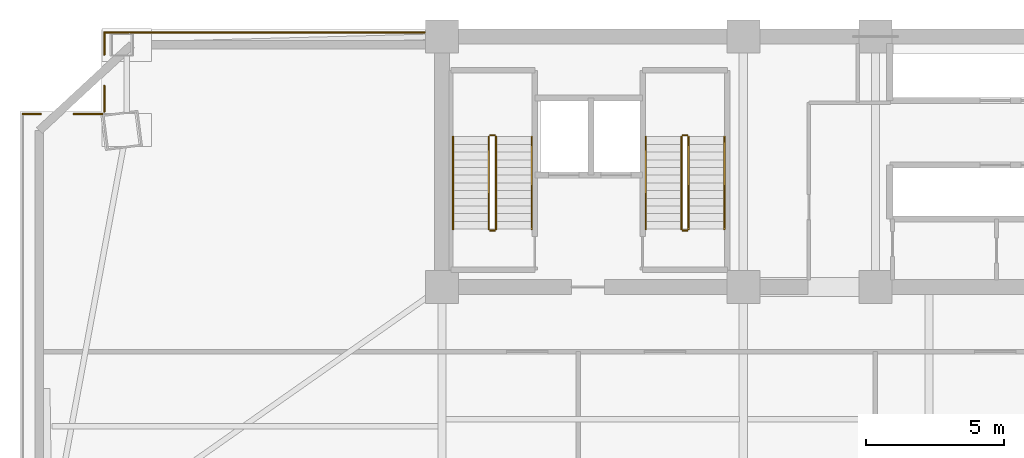
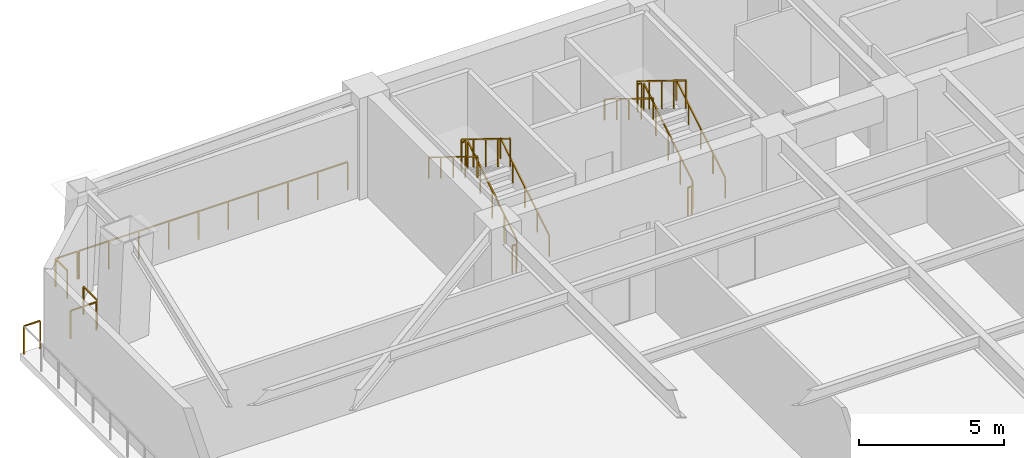
# One storey, part 8 of 9: 18 railings.
"""IFC4 building model written with IfcOpenShell, lengths in metres."""

from ifc_helpers import new_model, si_unit, direction, frame, origin, origin_2d, place, context, subcontext, project, spatial, rectangle, extrude, material, type_object, element, save


model = new_model("IFC4")

# Units and contexts
model_context = context("Model", 3, precision=1e-05, world=origin(), true_north=direction((0.0, 1.0)))
body_context = subcontext(model_context, "Body", "Model", "MODEL_VIEW")
ifc_project = project(units=[si_unit("LENGTHUNIT", "METRE"), si_unit("AREAUNIT", "SQUARE_METRE"), si_unit("VOLUMEUNIT", "CUBIC_METRE"), si_unit("PLANEANGLEUNIT", "RADIAN"), si_unit("MASSUNIT", "GRAM", prefix="KILO")], contexts=[model_context])

# Site, building, storey
site_placement = place(None, origin())
site = spatial("IfcSite", under=ifc_project, at=site_placement, CompositionType="ELEMENT")
building_placement = place(site_placement, origin())
building = spatial("IfcBuilding", under=site, at=building_placement, Name="Giltprow Tower", CompositionType="ELEMENT")
storey_placement = place(building_placement, frame((0.0, 0.0, 144.699951171875)))
storey = spatial("IfcBuildingStorey", under=building, at=storey_placement, Name="L35", CompositionType="ELEMENT", Elevation=144.699951171875)

# Railings
ifc_material = material(Name="Anodized bronze", Category="metal")
railing_type_1 = type_object("IfcRailingType", Name="RAIL-BALC-GUARD-1200", PredefinedType="BALUSTRADE", material=ifc_material)
railing_1_placement = place(storey_placement, frame((4.614013671875, 43.73388671875, 0.0)))
element("IfcRailing", 1, at=railing_1_placement, inside=storey, type_object=railing_type_1, Name="L35 Corner Apron Edge Balustrade 4", PredefinedType="BALUSTRADE", context=body_context, shape_type="SweptSolid", body=[
    extrude(rectangle(XDim=0.048095703125, YDim=0.048095703125, at=origin_2d()), frame((0.0, 0.0, 1.17578125), z_axis=(1.0, 0.0, 0.0), x_axis=(0.0, 1.0, 0.0)), (0.0, 0.0, 1.0), 0.64501953125),
    extrude(rectangle(XDim=0.0419921875, YDim=0.0419921875, at=origin_2d()), origin(), (0.0, 0.0, 1.0), 1.15185546875),
    extrude(rectangle(XDim=0.0419921875, YDim=0.0419921875, at=origin_2d()), frame((0.64501953125, 0.0, 0.0)), (0.0, 0.0, 1.0), 1.15185546875),
])
railing_2_placement = place(storey_placement, frame((6.465087890625, 43.73388671875, 0.0)))
element("IfcRailing", 2, at=railing_2_placement, inside=storey, type_object=railing_type_1, Name="L35 Corner Apron Edge Balustrade 5", PredefinedType="BALUSTRADE", context=body_context, shape_type="SweptSolid", body=[
    extrude(rectangle(XDim=0.048095703125, YDim=0.048095703125, at=origin_2d()), frame((0.0, 0.0, 1.17578125), z_axis=(1.0, 0.0, 0.0), x_axis=(0.0, 1.0, 0.0)), (0.0, 0.0, 1.0), 1.02880859375),
    extrude(rectangle(XDim=0.0419921875, YDim=0.0419921875, at=origin_2d()), origin(), (0.0, 0.0, 1.0), 1.15185546875),
    extrude(rectangle(XDim=0.0419921875, YDim=0.0419921875, at=origin_2d()), frame((1.02880859375, 0.0, 0.0)), (0.0, 0.0, 1.0), 1.15185546875),
])
railing_3_placement = place(storey_placement, frame((7.5791015625, 43.819091796875, 0.0)))
element("IfcRailing", 3, at=railing_3_placement, inside=storey, type_object=railing_type_1, Name="L35 Corner Apron Edge Balustrade 6", PredefinedType="BALUSTRADE", context=body_context, shape_type="SweptSolid", body=[
    extrude(rectangle(XDim=0.048095703125, YDim=0.048095703125, at=origin_2d()), frame((0.0, 0.0, 1.17578125), z_axis=(0.0, 1.0, 0.0), x_axis=(-1.0, 0.0, 0.0)), (0.0, 0.0, 1.0), 0.94580078125),
    extrude(rectangle(XDim=0.0419921875, YDim=0.0419921875, at=origin_2d()), origin(), (0.0, 0.0, 1.0), 1.15185546875),
    extrude(rectangle(XDim=0.0419921875, YDim=0.0419921875, at=origin_2d()), frame((0.0, 0.94580078125, 0.0)), (0.0, 0.0, 1.0), 1.15185546875),
])
railing_4_placement = place(storey_placement, frame((7.5791015625, 45.883056640625, 0.0)))
element("IfcRailing", 4, at=railing_4_placement, inside=storey, type_object=railing_type_1, Name="L35 Corner Apron Edge Balustrade 7", PredefinedType="BALUSTRADE", context=body_context, shape_type="SweptSolid", body=[
    extrude(rectangle(XDim=0.048095703125, YDim=0.048095703125, at=origin_2d()), frame((0.0, 0.0, 1.17578125), z_axis=(0.0, 1.0, 0.0), x_axis=(-1.0, 0.0, 0.0)), (0.0, 0.0, 1.0), 0.81591796875),
    extrude(rectangle(XDim=0.0419921875, YDim=0.0419921875, at=origin_2d()), origin(), (0.0, 0.0, 1.0), 1.15185546875),
    extrude(rectangle(XDim=0.0419921875, YDim=0.0419921875, at=origin_2d()), frame((0.0, 0.81591796875, 0.0)), (0.0, 0.0, 1.0), 1.15185546875),
])
railing_5_placement = place(storey_placement, frame((7.5791015625, 46.698974609375, 0.0)))
element("IfcRailing", 5, at=railing_5_placement, inside=storey, type_object=railing_type_1, Name="L35 Corner Apron Edge Balustrade 8", PredefinedType="BALUSTRADE", context=body_context, shape_type="SweptSolid", body=[
    extrude(rectangle(XDim=0.048095703125, YDim=0.048095703125, at=origin_2d()), frame((0.0, 0.0, 1.17578125), z_axis=(1.0, 0.0, 0.0), x_axis=(0.0, 1.0, 0.0)), (0.0, 0.0, 1.0), 0.880859375),
    extrude(rectangle(XDim=0.0419921875, YDim=0.0419921875, at=origin_2d()), origin(), (0.0, 0.0, 1.0), 1.15185546875),
    extrude(rectangle(XDim=0.0419921875, YDim=0.0419921875, at=origin_2d()), frame((0.880859375, 0.0, 0.0)), (0.0, 0.0, 1.0), 1.15185546875),
])
railing_6_placement = place(storey_placement, frame((8.51806640625, 46.698974609375, 0.0)))
element("IfcRailing", 6, at=railing_6_placement, inside=storey, type_object=railing_type_1, Name="L35 Corner Apron Edge Balustrade 9", PredefinedType="BALUSTRADE", context=body_context, shape_type="SweptSolid", body=[
    extrude(rectangle(XDim=0.048095703125, YDim=0.048095703125, at=origin_2d()), frame((0.0, 0.0, 1.17578125), z_axis=(1.0, 0.0, 0.0), x_axis=(0.0, 1.0, 0.0)), (0.0, 0.0, 1.0), 10.697021484375),
    extrude(rectangle(XDim=0.0419921875, YDim=0.0419921875, at=origin_2d()), origin(), (0.0, 0.0, 1.0), 1.15185546875),
    extrude(rectangle(XDim=0.0419921875, YDim=0.0419921875, at=origin_2d()), frame((1.1884765625, 0.0, 0.0)), (0.0, 0.0, 1.0), 1.15185546875),
    extrude(rectangle(XDim=0.0419921875, YDim=0.0419921875, at=origin_2d()), frame((2.377197265625, 0.0, 0.0)), (0.0, 0.0, 1.0), 1.15185546875),
    extrude(rectangle(XDim=0.0419921875, YDim=0.0419921875, at=origin_2d()), frame((3.565673828125, 0.0, 0.0)), (0.0, 0.0, 1.0), 1.15185546875),
    extrude(rectangle(XDim=0.0419921875, YDim=0.0419921875, at=origin_2d()), frame((4.754150390625, 0.0, 0.0)), (0.0, 0.0, 1.0), 1.15185546875),
    extrude(rectangle(XDim=0.0419921875, YDim=0.0419921875, at=origin_2d()), frame((5.94287109375, 0.0, 0.0)), (0.0, 0.0, 1.0), 1.15185546875),
    extrude(rectangle(XDim=0.0419921875, YDim=0.0419921875, at=origin_2d()), frame((7.13134765625, 0.0, 0.0)), (0.0, 0.0, 1.0), 1.15185546875),
    extrude(rectangle(XDim=0.0419921875, YDim=0.0419921875, at=origin_2d()), frame((8.31982421875, 0.0, 0.0)), (0.0, 0.0, 1.0), 1.15185546875),
    extrude(rectangle(XDim=0.0419921875, YDim=0.0419921875, at=origin_2d()), frame((9.508544921875, 0.0, 0.0)), (0.0, 0.0, 1.0), 1.15185546875),
    extrude(rectangle(XDim=0.0419921875, YDim=0.0419921875, at=origin_2d()), frame((10.697021484375, 0.0, 0.0)), (0.0, 0.0, 1.0), 1.15185546875),
])
railing_type_2 = type_object("IfcRailingType", Name="RAIL-STAIR-GUARD-1200", PredefinedType="GUARDRAIL", material=ifc_material)
railing_7_placement = place(storey_placement, frame((21.81005859375, 39.550048828125, 0.173095703125)))
element("IfcRailing", 7, at=railing_7_placement, inside=storey, type_object=railing_type_2, Name="L35 ST-1 stair guard 1", PredefinedType="GUARDRAIL", context=body_context, shape_type="SweptSolid", body=[
    extrude(rectangle(XDim=0.048095703125, YDim=0.048095703125, at=origin_2d()), frame((0.0, 0.0, 1.17578125), z_axis=(0.0, 0.850606129759, 0.525803396734), x_axis=(-1.0, 0.0, 0.0)), (0.0, 0.0, 1.0), 3.949951171875),
    extrude(rectangle(XDim=0.0419921875, YDim=0.0419921875, at=origin_2d()), origin(), (0.0, 0.0, 1.0), 1.15185546875),
    extrude(rectangle(XDim=0.0419921875, YDim=0.0419921875, at=origin_2d()), frame((0.0, 0.83984375, 0.519287109375)), (0.0, 0.0, 1.0), 1.15185546875),
    extrude(rectangle(XDim=0.0419921875, YDim=0.0419921875, at=origin_2d()), frame((0.0, 1.679931640625, 1.03857421875)), (0.0, 0.0, 1.0), 1.15185546875),
    extrude(rectangle(XDim=0.0419921875, YDim=0.0419921875, at=origin_2d()), frame((0.0, 2.52001953125, 1.5576171875)), (0.0, 0.0, 1.0), 1.15185546875),
    extrude(rectangle(XDim=0.0419921875, YDim=0.0419921875, at=origin_2d()), frame((0.0, 3.35986328125, 2.076904296875)), (0.0, 0.0, 1.0), 1.15185546875),
])
railing_8_placement = place(storey_placement, frame((21.760009765625, 42.9599609375, 2.25)))
element("IfcRailing", 8, at=railing_8_placement, inside=storey, type_object=railing_type_2, Name="L35 ST-1 stair guard 2", PredefinedType="GUARDRAIL", context=body_context, shape_type="SweptSolid", body=[
    extrude(rectangle(XDim=0.048095703125, YDim=0.048095703125, at=origin_2d()), frame((0.0, 0.0, 1.17578125), z_axis=(-1.0, 0.0, 0.0), x_axis=(0.0, -1.0, 0.0)), (0.0, 0.0, 1.0), 0.159912109375),
    extrude(rectangle(XDim=0.0419921875, YDim=0.0419921875, at=origin_2d()), origin(), (0.0, 0.0, 1.0), 1.15185546875),
    extrude(rectangle(XDim=0.0419921875, YDim=0.0419921875, at=origin_2d()), frame((-0.159912109375, 0.0, 0.0)), (0.0, 0.0, 1.0), 1.15185546875),
])
railing_9_placement = place(storey_placement, frame((21.550048828125, 42.909912109375, 2.423095703125)))
element("IfcRailing", 9, at=railing_9_placement, inside=storey, type_object=railing_type_2, Name="L35 ST-1 stair guard 3", PredefinedType="GUARDRAIL", context=body_context, shape_type="SweptSolid", body=[
    extrude(rectangle(XDim=0.048095703125, YDim=0.048095703125, at=origin_2d()), frame((0.0, 0.0, 1.17578125), z_axis=(0.0, -0.850606129759, 0.525803396734), x_axis=(1.0, 0.0, 0.0)), (0.0, 0.0, 1.0), 3.949951171875),
    extrude(rectangle(XDim=0.0419921875, YDim=0.0419921875, at=origin_2d()), origin(), (0.0, 0.0, 1.0), 1.15185546875),
    extrude(rectangle(XDim=0.0419921875, YDim=0.0419921875, at=origin_2d()), frame((0.0, -0.83984375, 0.519287109375)), (0.0, 0.0, 1.0), 1.15185546875),
    extrude(rectangle(XDim=0.0419921875, YDim=0.0419921875, at=origin_2d()), frame((0.0, -1.679931640625, 1.03857421875)), (0.0, 0.0, 1.0), 1.15185546875),
    extrude(rectangle(XDim=0.0419921875, YDim=0.0419921875, at=origin_2d()), frame((0.0, -2.52001953125, 1.5576171875)), (0.0, 0.0, 1.0), 1.15185546875),
    extrude(rectangle(XDim=0.0419921875, YDim=0.0419921875, at=origin_2d()), frame((0.0, -3.35986328125, 2.076904296875)), (0.0, 0.0, 1.0), 1.15185546875),
])
railing_10_placement = place(storey_placement, frame((21.760009765625, 39.5, 0.0)))
element("IfcRailing", 10, at=railing_10_placement, inside=storey, type_object=railing_type_2, Name="L35 ST-1 stair guard 4", PredefinedType="GUARDRAIL", context=body_context, shape_type="SweptSolid", body=[
    extrude(rectangle(XDim=0.048095703125, YDim=0.048095703125, at=origin_2d()), frame((0.0, 0.0, 1.17578125), z_axis=(-1.0, 0.0, 0.0), x_axis=(0.0, -1.0, 0.0)), (0.0, 0.0, 1.0), 0.159912109375),
    extrude(rectangle(XDim=0.0419921875, YDim=0.0419921875, at=origin_2d()), origin(), (0.0, 0.0, 1.0), 1.15185546875),
    extrude(rectangle(XDim=0.0419921875, YDim=0.0419921875, at=origin_2d()), frame((-0.159912109375, 0.0, 0.0)), (0.0, 0.0, 1.0), 1.15185546875),
])
railing_11_placement = place(storey_placement, frame((28.81005859375, 39.550048828125, 0.173095703125)))
element("IfcRailing", 11, at=railing_11_placement, inside=storey, type_object=railing_type_2, Name="L35 ST-2 stair guard 1", PredefinedType="GUARDRAIL", context=body_context, shape_type="SweptSolid", body=[
    extrude(rectangle(XDim=0.048095703125, YDim=0.048095703125, at=origin_2d()), frame((0.0, 0.0, 1.17578125), z_axis=(0.0, 0.850606129759, 0.525803396734), x_axis=(-1.0, 0.0, 0.0)), (0.0, 0.0, 1.0), 3.949951171875),
    extrude(rectangle(XDim=0.0419921875, YDim=0.0419921875, at=origin_2d()), origin(), (0.0, 0.0, 1.0), 1.15185546875),
    extrude(rectangle(XDim=0.0419921875, YDim=0.0419921875, at=origin_2d()), frame((0.0, 0.83984375, 0.519287109375)), (0.0, 0.0, 1.0), 1.15185546875),
    extrude(rectangle(XDim=0.0419921875, YDim=0.0419921875, at=origin_2d()), frame((0.0, 1.679931640625, 1.03857421875)), (0.0, 0.0, 1.0), 1.15185546875),
    extrude(rectangle(XDim=0.0419921875, YDim=0.0419921875, at=origin_2d()), frame((0.0, 2.52001953125, 1.5576171875)), (0.0, 0.0, 1.0), 1.15185546875),
    extrude(rectangle(XDim=0.0419921875, YDim=0.0419921875, at=origin_2d()), frame((0.0, 3.35986328125, 2.076904296875)), (0.0, 0.0, 1.0), 1.15185546875),
])
railing_12_placement = place(storey_placement, frame((28.760009765625, 42.9599609375, 2.25)))
element("IfcRailing", 12, at=railing_12_placement, inside=storey, type_object=railing_type_2, Name="L35 ST-2 stair guard 2", PredefinedType="GUARDRAIL", context=body_context, shape_type="SweptSolid", body=[
    extrude(rectangle(XDim=0.048095703125, YDim=0.048095703125, at=origin_2d()), frame((0.0, 0.0, 1.17578125), z_axis=(-1.0, 0.0, 0.0), x_axis=(0.0, -1.0, 0.0)), (0.0, 0.0, 1.0), 0.159912109375),
    extrude(rectangle(XDim=0.0419921875, YDim=0.0419921875, at=origin_2d()), origin(), (0.0, 0.0, 1.0), 1.15185546875),
    extrude(rectangle(XDim=0.0419921875, YDim=0.0419921875, at=origin_2d()), frame((-0.159912109375, 0.0, 0.0)), (0.0, 0.0, 1.0), 1.15185546875),
])
railing_13_placement = place(storey_placement, frame((28.550048828125, 42.909912109375, 2.423095703125)))
element("IfcRailing", 13, at=railing_13_placement, inside=storey, type_object=railing_type_2, Name="L35 ST-2 stair guard 3", PredefinedType="GUARDRAIL", context=body_context, shape_type="SweptSolid", body=[
    extrude(rectangle(XDim=0.048095703125, YDim=0.048095703125, at=origin_2d()), frame((0.0, 0.0, 1.17578125), z_axis=(0.0, -0.850606129759, 0.525803396734), x_axis=(1.0, 0.0, 0.0)), (0.0, 0.0, 1.0), 3.949951171875),
    extrude(rectangle(XDim=0.0419921875, YDim=0.0419921875, at=origin_2d()), origin(), (0.0, 0.0, 1.0), 1.15185546875),
    extrude(rectangle(XDim=0.0419921875, YDim=0.0419921875, at=origin_2d()), frame((0.0, -0.83984375, 0.519287109375)), (0.0, 0.0, 1.0), 1.15185546875),
    extrude(rectangle(XDim=0.0419921875, YDim=0.0419921875, at=origin_2d()), frame((0.0, -1.679931640625, 1.03857421875)), (0.0, 0.0, 1.0), 1.15185546875),
    extrude(rectangle(XDim=0.0419921875, YDim=0.0419921875, at=origin_2d()), frame((0.0, -2.52001953125, 1.5576171875)), (0.0, 0.0, 1.0), 1.15185546875),
    extrude(rectangle(XDim=0.0419921875, YDim=0.0419921875, at=origin_2d()), frame((0.0, -3.35986328125, 2.076904296875)), (0.0, 0.0, 1.0), 1.15185546875),
])
railing_14_placement = place(storey_placement, frame((28.760009765625, 39.5, 0.0)))
element("IfcRailing", 14, at=railing_14_placement, inside=storey, type_object=railing_type_2, Name="L35 ST-2 stair guard 4", PredefinedType="GUARDRAIL", context=body_context, shape_type="SweptSolid", body=[
    extrude(rectangle(XDim=0.048095703125, YDim=0.048095703125, at=origin_2d()), frame((0.0, 0.0, 1.17578125), z_axis=(-1.0, 0.0, 0.0), x_axis=(0.0, -1.0, 0.0)), (0.0, 0.0, 1.0), 0.159912109375),
    extrude(rectangle(XDim=0.0419921875, YDim=0.0419921875, at=origin_2d()), origin(), (0.0, 0.0, 1.0), 1.15185546875),
    extrude(rectangle(XDim=0.0419921875, YDim=0.0419921875, at=origin_2d()), frame((-0.159912109375, 0.0, 0.0)), (0.0, 0.0, 1.0), 1.15185546875),
])
railing_type_3 = type_object("IfcRailingType", Name="RAIL-STAIR-HAND-900", PredefinedType="HANDRAIL", material=ifc_material)
railing_15_placement = place(storey_placement, frame((23.110107421875, 39.550048828125, 0.173095703125)))
element("IfcRailing", 15, at=railing_15_placement, inside=storey, type_object=railing_type_3, Name="L35 ST-1 stair handrail 1", PredefinedType="HANDRAIL", context=body_context, shape_type="SweptSolid", body=[
    extrude(rectangle(XDim=0.048095703125, YDim=0.048095703125, at=origin_2d()), frame((0.0, 0.0, 0.8759765625), z_axis=(0.0, 0.850606129759, 0.525803396734), x_axis=(-1.0, 0.0, 0.0)), (0.0, 0.0, 1.0), 3.949951171875),
    extrude(rectangle(XDim=0.0419921875, YDim=0.0419921875, at=origin_2d()), origin(), (0.0, 0.0, 1.0), 0.851806640625),
    extrude(rectangle(XDim=0.0419921875, YDim=0.0419921875, at=origin_2d()), frame((0.0, 0.83984375, 0.519287109375)), (0.0, 0.0, 1.0), 0.851806640625),
    extrude(rectangle(XDim=0.0419921875, YDim=0.0419921875, at=origin_2d()), frame((0.0, 1.679931640625, 1.03857421875)), (0.0, 0.0, 1.0), 0.851806640625),
    extrude(rectangle(XDim=0.0419921875, YDim=0.0419921875, at=origin_2d()), frame((0.0, 2.52001953125, 1.5576171875)), (0.0, 0.0, 1.0), 0.851806640625),
    extrude(rectangle(XDim=0.0419921875, YDim=0.0419921875, at=origin_2d()), frame((0.0, 3.35986328125, 2.076904296875)), (0.0, 0.0, 1.0), 0.851806640625),
])
railing_16_placement = place(storey_placement, frame((20.25, 42.909912109375, 2.423095703125)))
element("IfcRailing", 16, at=railing_16_placement, inside=storey, type_object=railing_type_3, Name="L35 ST-1 stair handrail 2", PredefinedType="HANDRAIL", context=body_context, shape_type="SweptSolid", body=[
    extrude(rectangle(XDim=0.048095703125, YDim=0.048095703125, at=origin_2d()), frame((0.0, 0.0, 0.8759765625), z_axis=(0.0, -0.850606129759, 0.525803396734), x_axis=(1.0, 0.0, 0.0)), (0.0, 0.0, 1.0), 3.949951171875),
    extrude(rectangle(XDim=0.0419921875, YDim=0.0419921875, at=origin_2d()), origin(), (0.0, 0.0, 1.0), 0.851806640625),
    extrude(rectangle(XDim=0.0419921875, YDim=0.0419921875, at=origin_2d()), frame((0.0, -0.83984375, 0.519287109375)), (0.0, 0.0, 1.0), 0.851806640625),
    extrude(rectangle(XDim=0.0419921875, YDim=0.0419921875, at=origin_2d()), frame((0.0, -1.679931640625, 1.03857421875)), (0.0, 0.0, 1.0), 0.851806640625),
    extrude(rectangle(XDim=0.0419921875, YDim=0.0419921875, at=origin_2d()), frame((0.0, -2.52001953125, 1.5576171875)), (0.0, 0.0, 1.0), 0.851806640625),
    extrude(rectangle(XDim=0.0419921875, YDim=0.0419921875, at=origin_2d()), frame((0.0, -3.35986328125, 2.076904296875)), (0.0, 0.0, 1.0), 0.851806640625),
])
railing_17_placement = place(storey_placement, frame((30.110107421875, 39.550048828125, 0.173095703125)))
element("IfcRailing", 17, at=railing_17_placement, inside=storey, type_object=railing_type_3, Name="L35 ST-2 stair handrail 1", PredefinedType="HANDRAIL", context=body_context, shape_type="SweptSolid", body=[
    extrude(rectangle(XDim=0.048095703125, YDim=0.048095703125, at=origin_2d()), frame((0.0, 0.0, 0.8759765625), z_axis=(0.0, 0.850606129759, 0.525803396734), x_axis=(-1.0, 0.0, 0.0)), (0.0, 0.0, 1.0), 3.949951171875),
    extrude(rectangle(XDim=0.0419921875, YDim=0.0419921875, at=origin_2d()), origin(), (0.0, 0.0, 1.0), 0.851806640625),
    extrude(rectangle(XDim=0.0419921875, YDim=0.0419921875, at=origin_2d()), frame((0.0, 0.83984375, 0.519287109375)), (0.0, 0.0, 1.0), 0.851806640625),
    extrude(rectangle(XDim=0.0419921875, YDim=0.0419921875, at=origin_2d()), frame((0.0, 1.679931640625, 1.03857421875)), (0.0, 0.0, 1.0), 0.851806640625),
    extrude(rectangle(XDim=0.0419921875, YDim=0.0419921875, at=origin_2d()), frame((0.0, 2.52001953125, 1.5576171875)), (0.0, 0.0, 1.0), 0.851806640625),
    extrude(rectangle(XDim=0.0419921875, YDim=0.0419921875, at=origin_2d()), frame((0.0, 3.35986328125, 2.076904296875)), (0.0, 0.0, 1.0), 0.851806640625),
])
railing_18_placement = place(storey_placement, frame((27.25, 42.909912109375, 2.423095703125)))
element("IfcRailing", 18, at=railing_18_placement, inside=storey, type_object=railing_type_3, Name="L35 ST-2 stair handrail 2", PredefinedType="HANDRAIL", context=body_context, shape_type="SweptSolid", body=[
    extrude(rectangle(XDim=0.048095703125, YDim=0.048095703125, at=origin_2d()), frame((0.0, 0.0, 0.8759765625), z_axis=(0.0, -0.850606129759, 0.525803396734), x_axis=(1.0, 0.0, 0.0)), (0.0, 0.0, 1.0), 3.949951171875),
    extrude(rectangle(XDim=0.0419921875, YDim=0.0419921875, at=origin_2d()), origin(), (0.0, 0.0, 1.0), 0.851806640625),
    extrude(rectangle(XDim=0.0419921875, YDim=0.0419921875, at=origin_2d()), frame((0.0, -0.83984375, 0.519287109375)), (0.0, 0.0, 1.0), 0.851806640625),
    extrude(rectangle(XDim=0.0419921875, YDim=0.0419921875, at=origin_2d()), frame((0.0, -1.679931640625, 1.03857421875)), (0.0, 0.0, 1.0), 0.851806640625),
    extrude(rectangle(XDim=0.0419921875, YDim=0.0419921875, at=origin_2d()), frame((0.0, -2.52001953125, 1.5576171875)), (0.0, 0.0, 1.0), 0.851806640625),
    extrude(rectangle(XDim=0.0419921875, YDim=0.0419921875, at=origin_2d()), frame((0.0, -3.35986328125, 2.076904296875)), (0.0, 0.0, 1.0), 0.851806640625),
])

save(model, "model.ifc")
